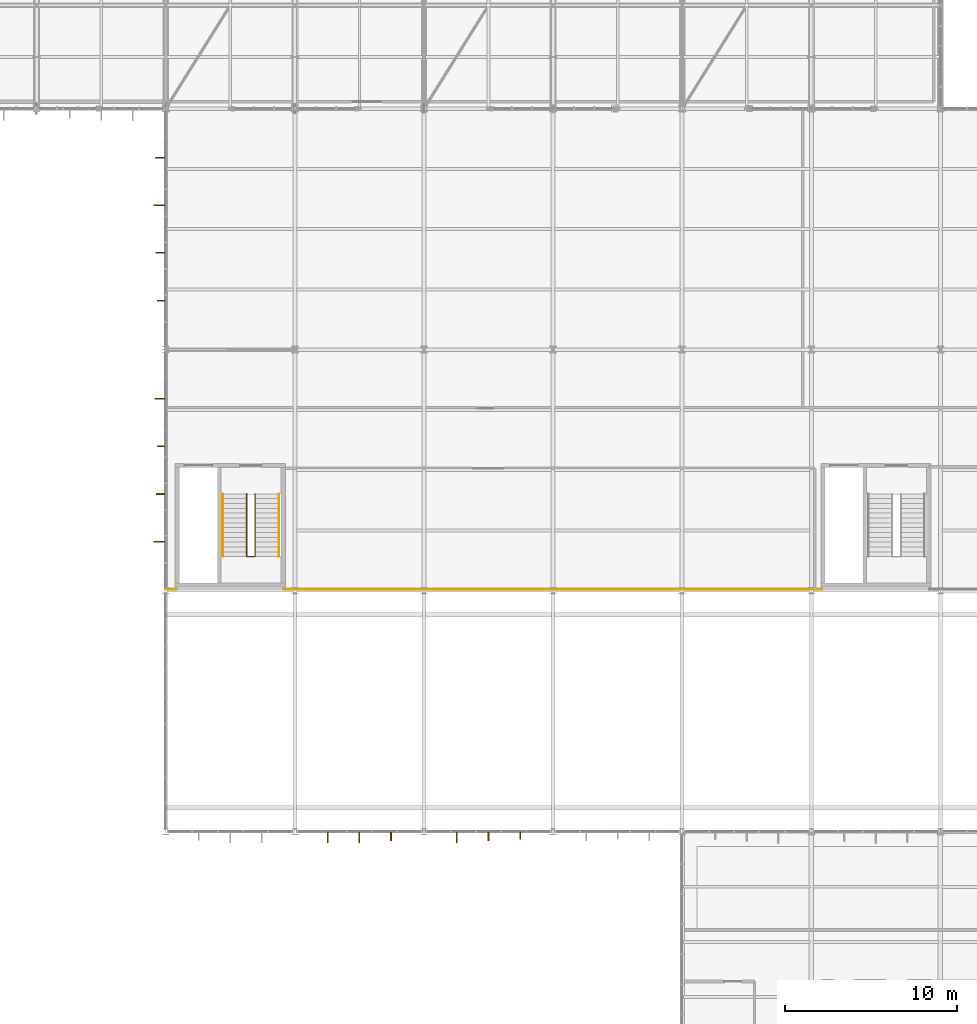
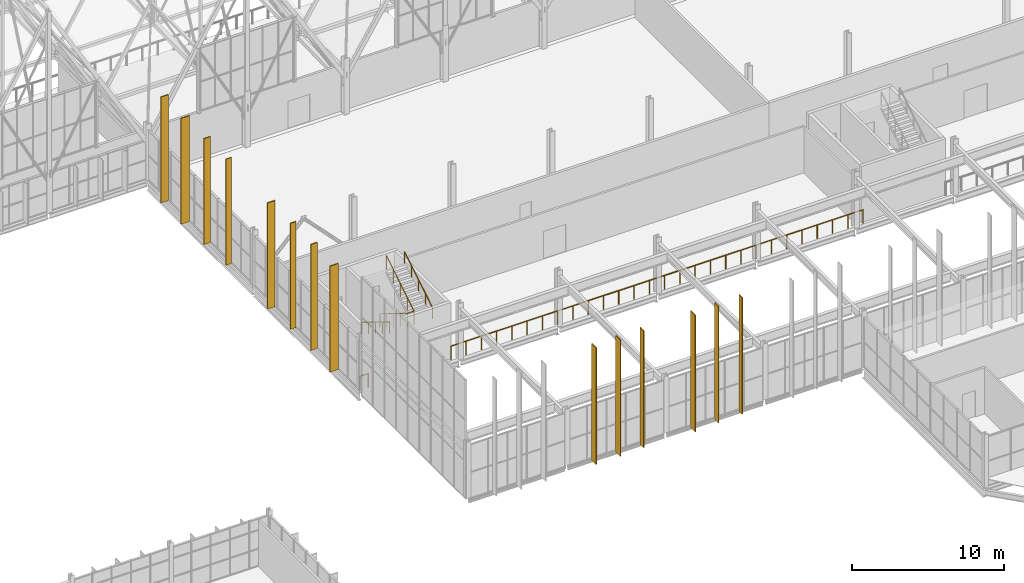
# One storey, part 317 of 324: 14 coverings, 5 railings.
"""IFC4 building model written with IfcOpenShell, lengths in metres."""

from ifc_helpers import new_model, si_unit, direction, frame, origin, origin_2d, place, context, subcontext, project, spatial, rectangle, circle, extrude, material, layer, layer_set, type_object, element, save


model = new_model("IFC4")

# Units and contexts
model_context = context("Model", 3, precision=1e-05, world=origin(), true_north=direction((0.0, 1.0)))
body_context = subcontext(model_context, "Body", "Model", "MODEL_VIEW")
ifc_project = project(units=[si_unit("LENGTHUNIT", "METRE"), si_unit("AREAUNIT", "SQUARE_METRE"), si_unit("VOLUMEUNIT", "CUBIC_METRE"), si_unit("PLANEANGLEUNIT", "RADIAN"), si_unit("MASSUNIT", "GRAM", prefix="KILO")], contexts=[model_context])

# Site, building, storey
site_placement = place(None, origin())
site = spatial("IfcSite", under=ifc_project, at=site_placement, CompositionType="ELEMENT")
building_placement = place(site_placement, origin())
building = spatial("IfcBuilding", under=site, at=building_placement, Name="Solvenia Promenade Tram Depot", CompositionType="ELEMENT")
storey_placement = place(building_placement, frame((0.0, 0.0, 4.5)))
storey = spatial("IfcBuildingStorey", under=building, at=storey_placement, Name="L01", CompositionType="ELEMENT", Elevation=4.5)

# Coverings
ifc_material = material(Name="Anodized aluminium AW-6063 T6", Category="aluminium")
ifc_layer = layer(ifc_material, 0.06005859375, Name="Anodized aluminium AW-6063 T6", Category="aluminium")
ifc_layer_set = layer_set([ifc_layer], Name="Anodized aluminium AW-6063 T6")
covering_type = type_object("IfcCoveringType", Name="Fin-Param-560", PredefinedType="CLADDING", material=ifc_layer_set)
covering_1_placement = place(storey_placement, frame((114.4150390625, 23.6708984375, -0.35009765625), z_axis=(0.0, 0.0, 1.0), x_axis=(1.0, 0.0, 0.0)))
element("IfcCovering", 1, at=covering_1_placement, inside=storey, type_object=covering_type, Name="Parametric Vertical Brise-Soleil Fin 185", PredefinedType="CLADDING", context=body_context, shape_type="SweptSolid", body=[
    extrude(rectangle(XDim=0.06005859375, YDim=0.60791015625, at=origin_2d()), origin(), (0.0, 0.0, 1.0), 9.35009765625),
])
covering_2_placement = place(storey_placement, frame((116.25, 23.6630859375, -0.35009765625), z_axis=(0.0, 0.0, 1.0), x_axis=(1.0, 0.0, 0.0)))
element("IfcCovering", 2, at=covering_2_placement, inside=storey, type_object=covering_type, Name="Parametric Vertical Brise-Soleil Fin 186", PredefinedType="CLADDING", context=body_context, shape_type="SweptSolid", body=[
    extrude(rectangle(XDim=0.06005859375, YDim=0.6240234375, at=origin_2d()), origin(), (0.0, 0.0, 1.0), 9.35009765625),
])
covering_3_placement = place(storey_placement, frame((118.0849609375, 23.7265625, -0.35009765625), z_axis=(0.0, 0.0, 1.0), x_axis=(1.0, 0.0, 0.0)))
element("IfcCovering", 3, at=covering_3_placement, inside=storey, type_object=covering_type, Name="Parametric Vertical Brise-Soleil Fin 187", PredefinedType="CLADDING", context=body_context, shape_type="SweptSolid", body=[
    extrude(rectangle(XDim=0.06005859375, YDim=0.4970703125, at=origin_2d()), origin(), (0.0, 0.0, 1.0), 9.35009765625),
])
covering_4_placement = place(storey_placement, frame((121.9150390625, 23.66357421875, -0.35009765625), z_axis=(0.0, 0.0, 1.0), x_axis=(1.0, 0.0, 0.0)))
element("IfcCovering", 4, at=covering_4_placement, inside=storey, type_object=covering_type, Name="Parametric Vertical Brise-Soleil Fin 188", PredefinedType="CLADDING", context=body_context, shape_type="SweptSolid", body=[
    extrude(rectangle(XDim=0.06005859375, YDim=0.623046875, at=origin_2d()), origin(), (0.0, 0.0, 1.0), 9.35009765625),
])
covering_5_placement = place(storey_placement, frame((123.75, 23.7275390625, -0.35009765625), z_axis=(0.0, 0.0, 1.0), x_axis=(1.0, 0.0, 0.0)))
element("IfcCovering", 5, at=covering_5_placement, inside=storey, type_object=covering_type, Name="Parametric Vertical Brise-Soleil Fin 189", PredefinedType="CLADDING", context=body_context, shape_type="SweptSolid", body=[
    extrude(rectangle(XDim=0.06005859375, YDim=0.4951171875, at=origin_2d()), origin(), (0.0, 0.0, 1.0), 9.35009765625),
])
covering_6_placement = place(storey_placement, frame((125.5849609375, 23.764892578125, -0.35009765625), z_axis=(0.0, 0.0, 1.0), x_axis=(1.0, 0.0, 0.0)))
element("IfcCovering", 6, at=covering_6_placement, inside=storey, type_object=covering_type, Name="Parametric Vertical Brise-Soleil Fin 190", PredefinedType="CLADDING", context=body_context, shape_type="SweptSolid", body=[
    extrude(rectangle(XDim=0.06005859375, YDim=0.419921875, at=origin_2d()), origin(), (0.0, 0.0, 1.0), 9.35009765625),
])
covering_7_placement = place(storey_placement, frame((104.6279296875, 40.847900390625, 0.0), z_axis=(0.0, 0.0, 1.0), x_axis=(0.0, 1.0, 0.0)))
element("IfcCovering", 7, at=covering_7_placement, inside=storey, type_object=covering_type, Name="Parametric Vertical Brise-Soleil Fin 221", PredefinedType="CLADDING", context=body_context, shape_type="SweptSolid", body=[
    extrude(rectangle(XDim=0.06005859375, YDim=0.6240234375, at=origin_2d()), origin(), (0.0, 0.0, 1.0), 8.5),
])
covering_8_placement = place(storey_placement, frame((104.699951171875, 43.615966796875, 0.0), z_axis=(0.0, 0.0, 1.0), x_axis=(0.0, 1.0, 0.0)))
element("IfcCovering", 8, at=covering_8_placement, inside=storey, type_object=covering_type, Name="Parametric Vertical Brise-Soleil Fin 222", PredefinedType="CLADDING", context=body_context, shape_type="SweptSolid", body=[
    extrude(rectangle(XDim=0.06005859375, YDim=0.47998046875, at=origin_2d()), origin(), (0.0, 0.0, 1.0), 8.5),
])
covering_9_placement = place(storey_placement, frame((104.7255859375, 46.384033203125, 0.0), z_axis=(0.0, 0.0, 1.0), x_axis=(0.0, 1.0, 0.0)))
element("IfcCovering", 9, at=covering_9_placement, inside=storey, type_object=covering_type, Name="Parametric Vertical Brise-Soleil Fin 223", PredefinedType="CLADDING", context=body_context, shape_type="SweptSolid", body=[
    extrude(rectangle(XDim=0.06005859375, YDim=0.428955078125, at=origin_2d()), origin(), (0.0, 0.0, 1.0), 8.5),
])
covering_10_placement = place(storey_placement, frame((104.656982421875, 49.152099609375, 0.0), z_axis=(0.0, 0.0, 1.0), x_axis=(0.0, 1.0, 0.0)))
element("IfcCovering", 10, at=covering_10_placement, inside=storey, type_object=covering_type, Name="Parametric Vertical Brise-Soleil Fin 224", PredefinedType="CLADDING", context=body_context, shape_type="SweptSolid", body=[
    extrude(rectangle(XDim=0.06005859375, YDim=0.56591796875, at=origin_2d()), origin(), (0.0, 0.0, 1.0), 8.5),
])
covering_11_placement = place(storey_placement, frame((104.72998046875, 54.847900390625, 0.0), z_axis=(0.0, 0.0, 1.0), x_axis=(0.0, 1.0, 0.0)))
element("IfcCovering", 11, at=covering_11_placement, inside=storey, type_object=covering_type, Name="Parametric Vertical Brise-Soleil Fin 225", PredefinedType="CLADDING", context=body_context, shape_type="SweptSolid", body=[
    extrude(rectangle(XDim=0.06005859375, YDim=0.419921875, at=origin_2d()), origin(), (0.0, 0.0, 1.0), 8.5),
])
covering_12_placement = place(storey_placement, frame((104.68310546875, 57.615966796875, 0.0), z_axis=(0.0, 0.0, 1.0), x_axis=(0.0, 1.0, 0.0)))
element("IfcCovering", 12, at=covering_12_placement, inside=storey, type_object=covering_type, Name="Parametric Vertical Brise-Soleil Fin 226", PredefinedType="CLADDING", context=body_context, shape_type="SweptSolid", body=[
    extrude(rectangle(XDim=0.06005859375, YDim=0.513916015625, at=origin_2d()), origin(), (0.0, 0.0, 1.0), 8.5),
])
covering_13_placement = place(storey_placement, frame((104.62158203125, 60.384033203125, 0.0), z_axis=(0.0, 0.0, 1.0), x_axis=(0.0, 1.0, 0.0)))
element("IfcCovering", 13, at=covering_13_placement, inside=storey, type_object=covering_type, Name="Parametric Vertical Brise-Soleil Fin 227", PredefinedType="CLADDING", context=body_context, shape_type="SweptSolid", body=[
    extrude(rectangle(XDim=0.06005859375, YDim=0.636962890625, at=origin_2d()), origin(), (0.0, 0.0, 1.0), 8.5),
])
covering_14_placement = place(storey_placement, frame((104.659423828125, 63.152099609375, 0.0), z_axis=(0.0, 0.0, 1.0), x_axis=(0.0, 1.0, 0.0)))
element("IfcCovering", 14, at=covering_14_placement, inside=storey, type_object=covering_type, Name="Parametric Vertical Brise-Soleil Fin 228", PredefinedType="CLADDING", context=body_context, shape_type="SweptSolid", body=[
    extrude(rectangle(XDim=0.06005859375, YDim=0.56103515625, at=origin_2d()), origin(), (0.0, 0.0, 1.0), 8.5),
])

# Railings
railing_type_1 = type_object("IfcRailingType", Name="Guard-Stair-1100", PredefinedType="GUARDRAIL", material=ifc_material)
railing_1_placement = place(storey_placement, frame((109.7099609375, 43.6201171875, 0.0)))
element("IfcRailing", 15, at=railing_1_placement, inside=storey, type_object=railing_type_1, Name="Stair Inner Well Guard ST-05-L01", PredefinedType="GUARDRAIL", context=body_context, shape_type="SweptSolid", body=[
    extrude(circle(Radius=0.02392578125, at=origin_2d()), frame((0.0, 0.0, 1.09619140625), z_axis=(0.0, -0.850622404505, 0.525777067734), x_axis=(1.0, 0.0, 0.0)), (0.0, 0.0, 1.0), 4.279296875),
    extrude(circle(Radius=0.02392578125, at=origin_2d()), frame((0.0, -3.64013671875, 3.34619140625), z_axis=(1.0, 0.0, 0.0), x_axis=(0.0, 1.0, 0.0)), (0.0, 0.0, 1.0), 0.47998046875),
    extrude(circle(Radius=0.02392578125, at=origin_2d()), frame((0.47998046875, -3.64013671875, 3.34619140625), z_axis=(0.0, 0.850622404505, 0.525777067734), x_axis=(-1.0, 0.0, 0.0)), (0.0, 0.0, 1.0), 4.279296875),
    extrude(circle(Radius=0.02099609375, at=origin_2d()), origin(), (0.0, 0.0, 1.0), 1.072021484375),
    extrude(circle(Radius=0.02099609375, at=origin_2d()), frame((0.0, -0.91015625, 0.5625)), (0.0, 0.0, 1.0), 1.072021484375),
    extrude(circle(Radius=0.02099609375, at=origin_2d()), frame((0.0, -1.820068359375, 1.125)), (0.0, 0.0, 1.0), 1.072021484375),
    extrude(circle(Radius=0.02099609375, at=origin_2d()), frame((0.0, -2.72998046875, 1.6875)), (0.0, 0.0, 1.0), 1.072021484375),
    extrude(circle(Radius=0.02099609375, at=origin_2d()), frame((0.0, -3.64013671875, 2.25)), (0.0, 0.0, 1.0), 1.072021484375),
    extrude(circle(Radius=0.02099609375, at=origin_2d()), frame((0.47998046875, -3.64013671875, 2.25)), (0.0, 0.0, 1.0), 1.072021484375),
    extrude(circle(Radius=0.02099609375, at=origin_2d()), frame((0.47998046875, -2.72998046875, 2.8125)), (0.0, 0.0, 1.0), 1.072021484375),
    extrude(circle(Radius=0.02099609375, at=origin_2d()), frame((0.47998046875, -1.820068359375, 3.375)), (0.0, 0.0, 1.0), 1.072021484375),
    extrude(circle(Radius=0.02099609375, at=origin_2d()), frame((0.47998046875, -0.91015625, 3.9375)), (0.0, 0.0, 1.0), 1.072021484375),
    extrude(circle(Radius=0.02099609375, at=origin_2d()), frame((0.47998046875, 0.0, 4.5)), (0.0, 0.0, 1.0), 1.072021484375),
])
railing_2_placement = place(storey_placement, frame((105.0, 38.080078125, 0.0)))
element("IfcRailing", 16, at=railing_2_placement, inside=storey, type_object=railing_type_1, Name="L01 Workshop Mezzanine Overlook Guard 1", PredefinedType="GUARDRAIL", context=body_context, shape_type="SweptSolid", body=[
    extrude(circle(Radius=0.02392578125, at=origin_2d()), frame((0.0, 0.0, 1.09619140625), z_axis=(1.0, 0.0, 0.0), x_axis=(0.0, 1.0, 0.0)), (0.0, 0.0, 1.0), 0.6201171875),
    extrude(circle(Radius=0.02099609375, at=origin_2d()), origin(), (0.0, 0.0, 1.0), 1.072021484375),
    extrude(circle(Radius=0.02099609375, at=origin_2d()), frame((0.6201171875, 0.0, 0.0)), (0.0, 0.0, 1.0), 1.072021484375),
])
railing_3_placement = place(storey_placement, frame((111.8798828125, 38.080078125, 0.0)))
element("IfcRailing", 17, at=railing_3_placement, inside=storey, type_object=railing_type_1, Name="L01 Workshop Mezzanine Overlook Guard 2", PredefinedType="GUARDRAIL", context=body_context, shape_type="SweptSolid", body=[
    extrude(circle(Radius=0.02392578125, at=origin_2d()), frame((0.0, 0.0, 1.09619140625), z_axis=(1.0, 0.0, 0.0), x_axis=(0.0, 1.0, 0.0)), (0.0, 0.0, 1.0), 31.240234375),
    extrude(circle(Radius=0.02099609375, at=origin_2d()), origin(), (0.0, 0.0, 1.0), 1.072021484375),
    extrude(circle(Radius=0.02099609375, at=origin_2d()), frame((1.156982421875, 0.0, 0.0)), (0.0, 0.0, 1.0), 1.072021484375),
    extrude(circle(Radius=0.02099609375, at=origin_2d()), frame((2.314208984375, 0.0, 0.0)), (0.0, 0.0, 1.0), 1.072021484375),
    extrude(circle(Radius=0.02099609375, at=origin_2d()), frame((3.47119140625, 0.0, 0.0)), (0.0, 0.0, 1.0), 1.072021484375),
    extrude(circle(Radius=0.02099609375, at=origin_2d()), frame((4.628173828125, 0.0, 0.0)), (0.0, 0.0, 1.0), 1.072021484375),
    extrude(circle(Radius=0.02099609375, at=origin_2d()), frame((5.78515625, 0.0, 0.0)), (0.0, 0.0, 1.0), 1.072021484375),
    extrude(circle(Radius=0.02099609375, at=origin_2d()), frame((6.9423828125, 0.0, 0.0)), (0.0, 0.0, 1.0), 1.072021484375),
    extrude(circle(Radius=0.02099609375, at=origin_2d()), frame((8.099365234375, 0.0, 0.0)), (0.0, 0.0, 1.0), 1.072021484375),
    extrude(circle(Radius=0.02099609375, at=origin_2d()), frame((9.25634765625, 0.0, 0.0)), (0.0, 0.0, 1.0), 1.072021484375),
    extrude(circle(Radius=0.02099609375, at=origin_2d()), frame((10.413330078125, 0.0, 0.0)), (0.0, 0.0, 1.0), 1.072021484375),
    extrude(circle(Radius=0.02099609375, at=origin_2d()), frame((11.570556640625, 0.0, 0.0)), (0.0, 0.0, 1.0), 1.072021484375),
    extrude(circle(Radius=0.02099609375, at=origin_2d()), frame((12.7275390625, 0.0, 0.0)), (0.0, 0.0, 1.0), 1.072021484375),
    extrude(circle(Radius=0.02099609375, at=origin_2d()), frame((13.884521484375, 0.0, 0.0)), (0.0, 0.0, 1.0), 1.072021484375),
    extrude(circle(Radius=0.02099609375, at=origin_2d()), frame((15.04150390625, 0.0, 0.0)), (0.0, 0.0, 1.0), 1.072021484375),
    extrude(circle(Radius=0.02099609375, at=origin_2d()), frame((16.19873046875, 0.0, 0.0)), (0.0, 0.0, 1.0), 1.072021484375),
    extrude(circle(Radius=0.02099609375, at=origin_2d()), frame((17.355712890625, 0.0, 0.0)), (0.0, 0.0, 1.0), 1.072021484375),
    extrude(circle(Radius=0.02099609375, at=origin_2d()), frame((18.5126953125, 0.0, 0.0)), (0.0, 0.0, 1.0), 1.072021484375),
    extrude(circle(Radius=0.02099609375, at=origin_2d()), frame((19.669677734375, 0.0, 0.0)), (0.0, 0.0, 1.0), 1.072021484375),
    extrude(circle(Radius=0.02099609375, at=origin_2d()), frame((20.826904296875, 0.0, 0.0)), (0.0, 0.0, 1.0), 1.072021484375),
    extrude(circle(Radius=0.02099609375, at=origin_2d()), frame((21.98388671875, 0.0, 0.0)), (0.0, 0.0, 1.0), 1.072021484375),
    extrude(circle(Radius=0.02099609375, at=origin_2d()), frame((23.140869140625, 0.0, 0.0)), (0.0, 0.0, 1.0), 1.072021484375),
    extrude(circle(Radius=0.02099609375, at=origin_2d()), frame((24.2978515625, 0.0, 0.0)), (0.0, 0.0, 1.0), 1.072021484375),
    extrude(circle(Radius=0.02099609375, at=origin_2d()), frame((25.455078125, 0.0, 0.0)), (0.0, 0.0, 1.0), 1.072021484375),
    extrude(circle(Radius=0.02099609375, at=origin_2d()), frame((26.612060546875, 0.0, 0.0)), (0.0, 0.0, 1.0), 1.072021484375),
    extrude(circle(Radius=0.02099609375, at=origin_2d()), frame((27.76904296875, 0.0, 0.0)), (0.0, 0.0, 1.0), 1.072021484375),
    extrude(circle(Radius=0.02099609375, at=origin_2d()), frame((28.926025390625, 0.0, 0.0)), (0.0, 0.0, 1.0), 1.072021484375),
    extrude(circle(Radius=0.02099609375, at=origin_2d()), frame((30.083251953125, 0.0, 0.0)), (0.0, 0.0, 1.0), 1.072021484375),
    extrude(circle(Radius=0.02099609375, at=origin_2d()), frame((31.240234375, 0.0, 0.0)), (0.0, 0.0, 1.0), 1.072021484375),
])
railing_type_2 = type_object("IfcRailingType", Name="Handrail-Stair-920", PredefinedType="HANDRAIL", material=ifc_material)
railing_4_placement = place(storey_placement, frame((108.320068359375, 43.6201171875, 0.0)))
element("IfcRailing", 18, at=railing_4_placement, inside=storey, type_object=railing_type_2, Name="Stair Wall Handrail ST-05-L01-F1", PredefinedType="HANDRAIL", context=body_context, shape_type="SweptSolid", body=[
    extrude(circle(Radius=0.02392578125, at=origin_2d()), frame((0.0, 0.0, 0.89599609375), z_axis=(0.0, -0.850622404505, 0.525777067734), x_axis=(1.0, 0.0, 0.0)), (0.0, 0.0, 1.0), 4.279296875),
    extrude(circle(Radius=0.02099609375, at=origin_2d()), origin(), (0.0, 0.0, 1.0), 0.871826171875),
    extrude(circle(Radius=0.02099609375, at=origin_2d()), frame((0.0, -0.91015625, 0.5625)), (0.0, 0.0, 1.0), 0.871826171875),
    extrude(circle(Radius=0.02099609375, at=origin_2d()), frame((0.0, -1.820068359375, 1.125)), (0.0, 0.0, 1.0), 0.871826171875),
    extrude(circle(Radius=0.02099609375, at=origin_2d()), frame((0.0, -2.72998046875, 1.6875)), (0.0, 0.0, 1.0), 0.871826171875),
    extrude(circle(Radius=0.02099609375, at=origin_2d()), frame((0.0, -3.64013671875, 2.25)), (0.0, 0.0, 1.0), 0.871826171875),
])
railing_5_placement = place(storey_placement, frame((111.580078125, 39.97998046875, 2.25)))
element("IfcRailing", 19, at=railing_5_placement, inside=storey, type_object=railing_type_2, Name="Stair Wall Handrail ST-05-L01-F2", PredefinedType="HANDRAIL", context=body_context, shape_type="SweptSolid", body=[
    extrude(circle(Radius=0.02392578125, at=origin_2d()), frame((0.0, 0.0, 0.89599609375), z_axis=(0.0, 0.850622404505, 0.525777067734), x_axis=(-1.0, 0.0, 0.0)), (0.0, 0.0, 1.0), 4.279296875),
    extrude(circle(Radius=0.02099609375, at=origin_2d()), origin(), (0.0, 0.0, 1.0), 0.871826171875),
    extrude(circle(Radius=0.02099609375, at=origin_2d()), frame((0.0, 0.91015625, 0.5625)), (0.0, 0.0, 1.0), 0.871826171875),
    extrude(circle(Radius=0.02099609375, at=origin_2d()), frame((0.0, 1.820068359375, 1.125)), (0.0, 0.0, 1.0), 0.871826171875),
    extrude(circle(Radius=0.02099609375, at=origin_2d()), frame((0.0, 2.72998046875, 1.6875)), (0.0, 0.0, 1.0), 0.871826171875),
    extrude(circle(Radius=0.02099609375, at=origin_2d()), frame((0.0, 3.64013671875, 2.25)), (0.0, 0.0, 1.0), 0.871826171875),
])

save(model, "model.ifc")
